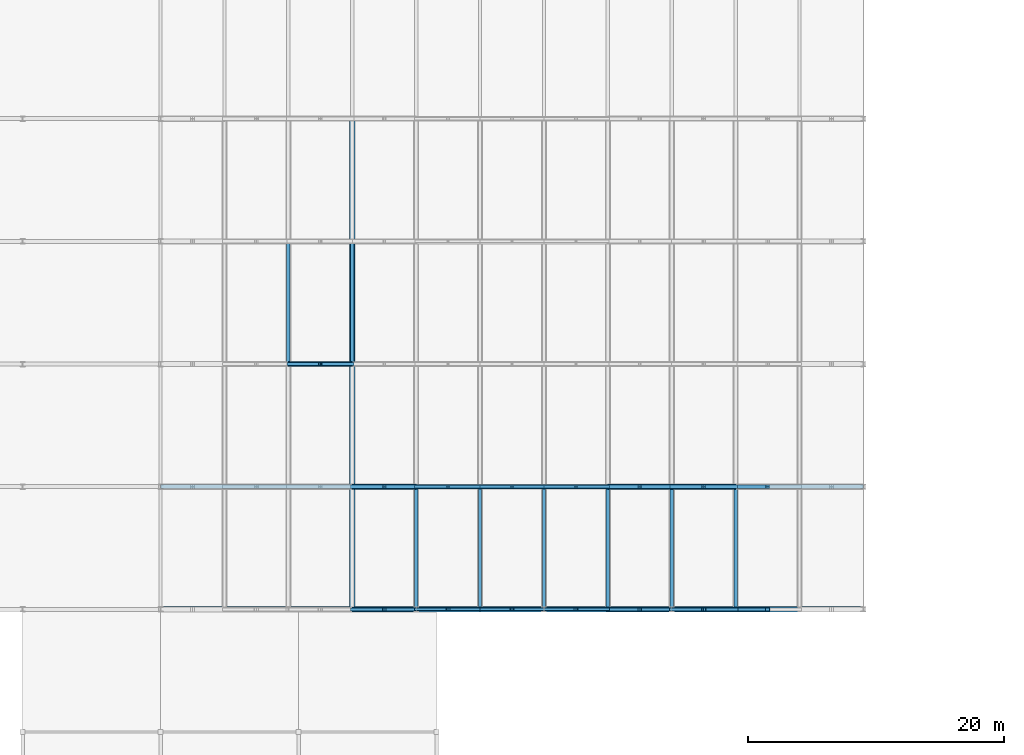
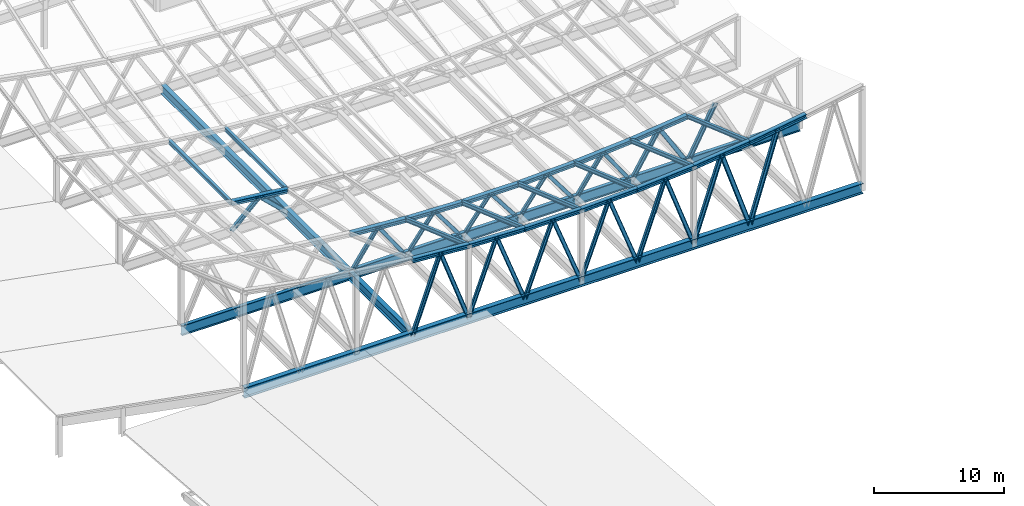
# One storey, part 8 of 40: 50 members, 3 beams, 1 element without a shape of its own.
"""IFC4 building model written with IfcOpenShell, lengths in metres."""

from ifc_helpers import new_model, si_unit, direction, frame, origin, origin_2d, place, context, subcontext, project, spatial, i_section, extrude, material, material_profile, profile_set, type_object, element, aggregate, save


model = new_model("IFC4")

# Units and contexts
model_context = context("Model", 3, precision=1e-05, world=origin(), true_north=direction((0.0, 1.0)))
body_context = subcontext(model_context, "Body", "Model", "MODEL_VIEW")
ifc_project = project(units=[si_unit("LENGTHUNIT", "METRE"), si_unit("AREAUNIT", "SQUARE_METRE"), si_unit("VOLUMEUNIT", "CUBIC_METRE"), si_unit("PLANEANGLEUNIT", "RADIAN"), si_unit("MASSUNIT", "GRAM", prefix="KILO")], contexts=[model_context])

# Site, building, storey
site_placement = place(None, origin())
site = spatial("IfcSite", under=ifc_project, at=site_placement, CompositionType="ELEMENT")
building_placement = place(site_placement, origin())
building = spatial("IfcBuilding", under=site, at=building_placement, Name="Veldera Park Congress Hotel", CompositionType="ELEMENT")
storey_placement = place(building_placement, frame((0.0, 0.0, 16.199951171875)))
storey = spatial("IfcBuildingStorey", under=building, at=storey_placement, Name="L03", CompositionType="ELEMENT", Elevation=16.199951171875)

# Beams
ifc_material_1 = material(Name="Steel ASTM A992 Gr.50", Category="steel")
ifc_material_profile_1 = material_profile(ifc_material_1, i_section(OverallWidth=0.40087890625, OverallDepth=0.85498046875, WebThickness=0.018310546875, FlangeThickness=0.029296875, at=origin_2d()), Name="W33X201")
ifc_profile_set_1 = profile_set([ifc_material_profile_1], Name="Steel ASTM A992 Gr.50")
beam_type_1 = type_object("IfcBeamType", Name="BM-W33", PredefinedType="BEAM", material=ifc_profile_set_1)
beam_1_placement = place(storey_placement, frame((-52.39990234375, -21.0, 0.25), z_axis=(0.0, 1.0, 0.0), x_axis=(-1.0, 0.0, 0.0)))
element("IfcBeam", 1, at=beam_1_placement, inside=storey, type_object=beam_type_1, Name="Plenary Space Frame Transverse Spine Girder 3", PredefinedType="BEAM", context=body_context, shape_type="SweptSolid", body=[
    extrude(i_section(OverallWidth=0.40087890625, OverallDepth=0.85498046875, WebThickness=0.018310546875, FlangeThickness=0.029296875, at=origin_2d()), origin(), (0.0, 0.0, 1.0), 38.39990234375),
])
ifc_material_profile_2 = material_profile(ifc_material_1, i_section(OverallWidth=0.31005859375, OverallDepth=0.949951171875, WebThickness=0.0244140625, FlangeThickness=0.0439453125, at=origin_2d()), Name="W36X256")
ifc_profile_set_2 = profile_set([ifc_material_profile_2], Name="Steel ASTM A992 Gr.50")
beam_type_2 = type_object("IfcBeamType", Name="BM-W36", PredefinedType="BEAM", material=ifc_profile_set_2)
beam_2_placement = place(storey_placement, frame((-67.39990234375, -11.39990234375, 0.25), z_axis=(1.0, 0.0, 0.0), x_axis=(0.0, 1.0, 0.0)))
element("IfcBeam", 2, at=beam_2_placement, inside=storey, type_object=beam_type_2, Name="Plenary Space Frame Main Bottom Tie Girder 2", PredefinedType="BEAM", context=body_context, shape_type="SweptSolid", body=[
    extrude(i_section(OverallWidth=0.31005859375, OverallDepth=0.949951171875, WebThickness=0.0244140625, FlangeThickness=0.0439453125, at=origin_2d()), origin(), (0.0, 0.0, 1.0), 55.0),
])
ifc_material_profile_3 = material_profile(ifc_material_1, i_section(OverallWidth=0.423095703125, OverallDepth=0.965087890625, WebThickness=0.02392578125, FlangeThickness=0.042724609375, at=origin_2d()), Name="W36X302")
ifc_profile_set_3 = profile_set([ifc_material_profile_3], Name="Steel ASTM A992 Gr.50")
beam_type_3 = type_object("IfcBeamType", Name="BM-W36E", PredefinedType="BEAM", material=ifc_profile_set_3)
beam_3_placement = place(storey_placement, frame((-67.39990234375, -21.0, 0.25), z_axis=(1.0, 0.0, 0.0), x_axis=(0.0, 1.0, 0.0)))
element("IfcBeam", 3, at=beam_3_placement, inside=storey, type_object=beam_type_3, Name="Plenary Space Frame Main Bottom Tie Girder 1", PredefinedType="BEAM", context=body_context, shape_type="SweptSolid", body=[
    extrude(i_section(OverallWidth=0.423095703125, OverallDepth=0.965087890625, WebThickness=0.02392578125, FlangeThickness=0.042724609375, at=origin_2d()), origin(), (0.0, 0.0, 1.0), 55.0),
])

# Roof, members
ifc_material_2 = material(Name="Cross-laminated timber CLT V2M1.1", Category="wood")
roof_type = type_object("IfcRoofType", Name="ROOF-PAV", PredefinedType="PAVILION_ROOF", material=ifc_material_2)
roof_placement = place(storey_placement, origin())
roof = element("IfcRoof", 4, at=roof_placement, inside=storey, type_object=roof_type, Name="Plenary Congress Pavilion Sweeping Space Frame Roof", PredefinedType="PAVILION_ROOF")
ifc_material_profile_4 = material_profile(ifc_material_1, i_section(OverallWidth=0.3740234375, OverallDepth=0.3720703125, WebThickness=0.016357421875, FlangeThickness=0.026123046875, at=origin_2d()), Name="W14X132")
ifc_profile_set_4 = profile_set([ifc_material_profile_4], Name="Steel ASTM A992 Gr.50")
member_type_1 = type_object("IfcMemberType", Name="TR-CHD132", PredefinedType="CHORD", material=ifc_profile_set_4)
member_1_placement = place(storey_placement, frame((-47.39990234375, -21.0, 7.048828125), z_axis=(0.999315769236, 0.0, -0.036986394193), x_axis=(0.0, 1.0, 0.0)))
member_1 = element("IfcMember", 5, at=member_1_placement, type_object=member_type_1, Name="Plenary Roof Space Frame Top Chord 5", PredefinedType="CHORD", context=body_context, shape_type="SweptSolid", body=[
    extrude(i_section(OverallWidth=0.3740234375, OverallDepth=0.3720703125, WebThickness=0.016357421875, FlangeThickness=0.026123046875, at=origin_2d()), origin(), (0.0, 0.0, 1.0), 5.00341796875),
])
member_2_placement = place(storey_placement, frame((-42.39990234375, -21.0, 6.86376953125), z_axis=(0.999999731779, 0.0, 0.000732421679), x_axis=(0.0, 1.0, 0.0)))
member_2 = element("IfcMember", 6, at=member_2_placement, type_object=member_type_1, Name="Plenary Roof Space Frame Top Chord 6", PredefinedType="CHORD", context=body_context, shape_type="SweptSolid", body=[
    extrude(i_section(OverallWidth=0.3740234375, OverallDepth=0.3720703125, WebThickness=0.016357421875, FlangeThickness=0.026123046875, at=origin_2d()), origin(), (0.0, 0.0, 1.0), 5.0),
])
member_3_placement = place(storey_placement, frame((-37.39990234375, -21.0, 6.867431640625), z_axis=(0.999258722193, 0.0, 0.038496832608), x_axis=(0.0, 1.0, 0.0)))
member_3 = element("IfcMember", 7, at=member_3_placement, type_object=member_type_1, Name="Plenary Roof Space Frame Top Chord 7", PredefinedType="CHORD", context=body_context, shape_type="SweptSolid", body=[
    extrude(i_section(OverallWidth=0.3740234375, OverallDepth=0.3720703125, WebThickness=0.016357421875, FlangeThickness=0.026123046875, at=origin_2d()), origin(), (0.0, 0.0, 1.0), 5.003662109375),
])
member_4_placement = place(storey_placement, frame((-47.39990234375, -11.39990234375, 3.661865234375), z_axis=(0.999317571557, 0.0, -0.036937666097), x_axis=(0.0, 1.0, 0.0)))
member_4 = element("IfcMember", 8, at=member_4_placement, type_object=member_type_1, Name="Plenary Roof Space Frame Top Chord 16", PredefinedType="CHORD", context=body_context, shape_type="SweptSolid", body=[
    extrude(i_section(OverallWidth=0.3740234375, OverallDepth=0.3720703125, WebThickness=0.016357421875, FlangeThickness=0.026123046875, at=origin_2d()), origin(), (0.0, 0.0, 1.0), 5.00341796875),
])
member_5_placement = place(storey_placement, frame((-42.39990234375, -11.39990234375, 3.47705078125), z_axis=(0.999999731779, 0.0, 0.000732421679), x_axis=(0.0, 1.0, 0.0)))
member_5 = element("IfcMember", 9, at=member_5_placement, type_object=member_type_1, Name="Plenary Roof Space Frame Top Chord 17", PredefinedType="CHORD", context=body_context, shape_type="SweptSolid", body=[
    extrude(i_section(OverallWidth=0.3740234375, OverallDepth=0.3720703125, WebThickness=0.016357421875, FlangeThickness=0.026123046875, at=origin_2d()), origin(), (0.0, 0.0, 1.0), 5.0),
])
member_6_placement = place(storey_placement, frame((-37.39990234375, -11.39990234375, 3.480712890625), z_axis=(0.999258722193, 0.0, 0.038496832608), x_axis=(0.0, 1.0, 0.0)))
member_6 = element("IfcMember", 10, at=member_6_placement, type_object=member_type_1, Name="Plenary Roof Space Frame Top Chord 18", PredefinedType="CHORD", context=body_context, shape_type="SweptSolid", body=[
    extrude(i_section(OverallWidth=0.3740234375, OverallDepth=0.3720703125, WebThickness=0.016357421875, FlangeThickness=0.026123046875, at=origin_2d()), origin(), (0.0, 0.0, 1.0), 5.003662109375),
])
ifc_material_profile_5 = material_profile(ifc_material_1, i_section(OverallWidth=0.39599609375, OverallDepth=0.381103515625, WebThickness=0.018798828125, FlangeThickness=0.0302734375, at=origin_2d()), Name="W14X159")
ifc_profile_set_5 = profile_set([ifc_material_profile_5], Name="Steel ASTM A992 Gr.50")
member_type_2 = type_object("IfcMemberType", Name="TR-CHD159", PredefinedType="CHORD", material=ifc_profile_set_5)
member_7_placement = place(storey_placement, frame((-52.39990234375, -21.0, 7.42236328125), z_axis=(0.997221056601, 0.0, -0.074499424639), x_axis=(0.0, 1.0, 0.0)))
member_7 = element("IfcMember", 11, at=member_7_placement, type_object=member_type_2, Name="Plenary Roof Space Frame Top Chord 4", PredefinedType="CHORD", context=body_context, shape_type="SweptSolid", body=[
    extrude(i_section(OverallWidth=0.39599609375, OverallDepth=0.381103515625, WebThickness=0.018798828125, FlangeThickness=0.0302734375, at=origin_2d()), origin(), (0.0, 0.0, 1.0), 5.013916015625),
])
member_8_placement = place(storey_placement, frame((-32.39990234375, -21.0, 7.06005859375), z_axis=(0.99710410734, 0.0, 0.076048662874), x_axis=(0.0, 1.0, 0.0)))
member_8 = element("IfcMember", 12, at=member_8_placement, type_object=member_type_2, Name="Plenary Roof Space Frame Top Chord 8", PredefinedType="CHORD", context=body_context, shape_type="SweptSolid", body=[
    extrude(i_section(OverallWidth=0.39599609375, OverallDepth=0.381103515625, WebThickness=0.018798828125, FlangeThickness=0.0302734375, at=origin_2d()), origin(), (0.0, 0.0, 1.0), 5.014404296875),
])
member_9_placement = place(storey_placement, frame((-52.39990234375, -11.39990234375, 4.03564453125), z_axis=(0.997217437961, 0.0, -0.074547846559), x_axis=(0.0, 1.0, 0.0)))
member_9 = element("IfcMember", 13, at=member_9_placement, type_object=member_type_2, Name="Plenary Roof Space Frame Top Chord 15", PredefinedType="CHORD", context=body_context, shape_type="SweptSolid", body=[
    extrude(i_section(OverallWidth=0.39599609375, OverallDepth=0.381103515625, WebThickness=0.018798828125, FlangeThickness=0.0302734375, at=origin_2d()), origin(), (0.0, 0.0, 1.0), 5.013916015625),
])
member_10_placement = place(storey_placement, frame((-32.39990234375, -11.39990234375, 3.67333984375), z_axis=(0.997107798017, 0.0, 0.076000257456), x_axis=(0.0, 1.0, 0.0)))
member_10 = element("IfcMember", 14, at=member_10_placement, type_object=member_type_2, Name="Plenary Roof Space Frame Top Chord 19", PredefinedType="CHORD", context=body_context, shape_type="SweptSolid", body=[
    extrude(i_section(OverallWidth=0.39599609375, OverallDepth=0.381103515625, WebThickness=0.018798828125, FlangeThickness=0.0302734375, at=origin_2d()), origin(), (0.0, 0.0, 1.0), 5.014404296875),
])
ifc_material_profile_6 = material_profile(ifc_material_1, i_section(OverallWidth=0.39697265625, OverallDepth=0.386962890625, WebThickness=0.02099609375, FlangeThickness=0.033203125, at=origin_2d()), Name="W14X176")
ifc_profile_set_6 = profile_set([ifc_material_profile_6], Name="Steel ASTM A992 Gr.50")
member_type_3 = type_object("IfcMemberType", Name="TR-CHD176", PredefinedType="CHORD", material=ifc_profile_set_6)
member_11_placement = place(storey_placement, frame((-27.39990234375, -21.0, 7.44140625), z_axis=(0.993568588139, 0.0, 0.113231888902), x_axis=(0.0, 1.0, 0.0)))
member_11 = element("IfcMember", 15, at=member_11_placement, type_object=member_type_3, Name="Plenary Roof Space Frame Top Chord 9", PredefinedType="CHORD", context=body_context, shape_type="SweptSolid", body=[
    extrude(i_section(OverallWidth=0.39697265625, OverallDepth=0.386962890625, WebThickness=0.02099609375, FlangeThickness=0.033203125, at=origin_2d()), origin(), (0.0, 0.0, 1.0), 5.032470703125),
])
member_12_placement = place(storey_placement, frame((-27.39990234375, -11.39990234375, 4.054443359375), z_axis=(0.993563129002, 0.0, 0.113279780577), x_axis=(0.0, 1.0, 0.0)))
member_12 = element("IfcMember", 16, at=member_12_placement, type_object=member_type_3, Name="Plenary Roof Space Frame Top Chord 20", PredefinedType="CHORD", context=body_context, shape_type="SweptSolid", body=[
    extrude(i_section(OverallWidth=0.39697265625, OverallDepth=0.386962890625, WebThickness=0.02099609375, FlangeThickness=0.033203125, at=origin_2d()), origin(), (0.0, 0.0, 1.0), 5.032470703125),
])
member_13_placement = place(storey_placement, frame((-57.39990234375, -1.800048828125, 2.904541015625), z_axis=(0.993731316159, 0.0, -0.111794773068), x_axis=(0.0, 1.0, 0.0)))
member_13 = element("IfcMember", 17, at=member_13_placement, type_object=member_type_3, Name="Plenary Roof Space Frame Top Chord 25", PredefinedType="CHORD", context=body_context, shape_type="SweptSolid", body=[
    extrude(i_section(OverallWidth=0.39697265625, OverallDepth=0.386962890625, WebThickness=0.02099609375, FlangeThickness=0.033203125, at=origin_2d()), origin(), (0.0, 0.0, 1.0), 5.031494140625),
])
ifc_material_profile_7 = material_profile(ifc_material_1, i_section(OverallWidth=0.40087890625, OverallDepth=0.39892578125, WebThickness=0.02490234375, FlangeThickness=0.03955078125, at=origin_2d()), Name="W14X211")
ifc_profile_set_7 = profile_set([ifc_material_profile_7], Name="Steel ASTM A992 Gr.50")
member_type_4 = type_object("IfcMemberType", Name="TR-CHD211", PredefinedType="CHORD", material=ifc_profile_set_7)
member_14_placement = place(storey_placement, frame((-22.39990234375, -21.0, 8.01123046875), z_axis=(0.988679941563, 0.0, 0.150039905194), x_axis=(0.0, 1.0, 0.0)))
member_14 = element("IfcMember", 18, at=member_14_placement, type_object=member_type_4, Name="Plenary Roof Space Frame Top Chord 10", PredefinedType="CHORD", context=body_context, shape_type="SweptSolid", body=[
    extrude(i_section(OverallWidth=0.40087890625, OverallDepth=0.39892578125, WebThickness=0.02490234375, FlangeThickness=0.03955078125, at=origin_2d()), origin(), (0.0, 0.0, 1.0), 5.05712890625),
])
ifc_material_profile_8 = material_profile(ifc_material_1, i_section(OverallWidth=0.205078125, OverallDepth=0.31005859375, WebThickness=0.009521484375, FlangeThickness=0.016357421875, at=origin_2d()), Name="W12X50")
ifc_profile_set_8 = profile_set([ifc_material_profile_8], Name="Steel ASTM A992 Gr.50")
member_type_5 = type_object("IfcMemberType", Name="TR-WEB50", PredefinedType="MEMBER", material=ifc_profile_set_8)
member_15_placement = place(storey_placement, frame((-47.39990234375, -21.0, 0.25), z_axis=(0.349302249262, 0.0, 0.937010105954), x_axis=(0.0, 1.0, 0.0)))
member_15 = element("IfcMember", 19, at=member_15_placement, type_object=member_type_5, Name="Plenary Roof Space Frame Web A 5", PredefinedType="MEMBER", context=body_context, shape_type="SweptSolid", body=[
    extrude(i_section(OverallWidth=0.205078125, OverallDepth=0.31005859375, WebThickness=0.009521484375, FlangeThickness=0.016357421875, at=origin_2d()), origin(), (0.0, 0.0, 1.0), 7.1572265625),
])
member_16_placement = place(storey_placement, frame((-42.39990234375, -21.0, 0.25), z_axis=(-0.349302249262, 0.0, 0.937010105954), x_axis=(0.0, -1.0, 0.0)))
member_16 = element("IfcMember", 20, at=member_16_placement, type_object=member_type_5, Name="Plenary Roof Space Frame Web B 5", PredefinedType="MEMBER", context=body_context, shape_type="SweptSolid", body=[
    extrude(i_section(OverallWidth=0.205078125, OverallDepth=0.31005859375, WebThickness=0.009521484375, FlangeThickness=0.016357421875, at=origin_2d()), origin(), (0.0, 0.0, 1.0), 7.1572265625),
])
member_17_placement = place(storey_placement, frame((-42.39990234375, -21.0, 0.25), z_axis=(0.353490523424, 0.0, 0.935438105836), x_axis=(0.0, 1.0, 0.0)))
member_17 = element("IfcMember", 21, at=member_17_placement, type_object=member_type_5, Name="Plenary Roof Space Frame Web A 6", PredefinedType="MEMBER", context=body_context, shape_type="SweptSolid", body=[
    extrude(i_section(OverallWidth=0.205078125, OverallDepth=0.31005859375, WebThickness=0.009521484375, FlangeThickness=0.016357421875, at=origin_2d()), origin(), (0.0, 0.0, 1.0), 7.072265625),
])
member_18_placement = place(storey_placement, frame((-37.39990234375, -21.0, 0.25), z_axis=(-0.353490523424, 0.0, 0.935438105836), x_axis=(0.0, -1.0, 0.0)))
member_18 = element("IfcMember", 22, at=member_18_placement, type_object=member_type_5, Name="Plenary Roof Space Frame Web B 6", PredefinedType="MEMBER", context=body_context, shape_type="SweptSolid", body=[
    extrude(i_section(OverallWidth=0.205078125, OverallDepth=0.31005859375, WebThickness=0.009521484375, FlangeThickness=0.016357421875, at=origin_2d()), origin(), (0.0, 0.0, 1.0), 7.072265625),
])
member_19_placement = place(storey_placement, frame((-37.39990234375, -21.0, 0.25), z_axis=(0.348956462383, 0.0, 0.937138937064), x_axis=(0.0, 1.0, 0.0)))
member_19 = element("IfcMember", 23, at=member_19_placement, type_object=member_type_5, Name="Plenary Roof Space Frame Web A 7", PredefinedType="MEMBER", context=body_context, shape_type="SweptSolid", body=[
    extrude(i_section(OverallWidth=0.205078125, OverallDepth=0.31005859375, WebThickness=0.009521484375, FlangeThickness=0.016357421875, at=origin_2d()), origin(), (0.0, 0.0, 1.0), 7.164306640625),
])
member_20_placement = place(storey_placement, frame((-32.39990234375, -21.0, 0.25), z_axis=(-0.348956462383, 0.0, 0.937138937064), x_axis=(0.0, -1.0, 0.0)))
member_20 = element("IfcMember", 24, at=member_20_placement, type_object=member_type_5, Name="Plenary Roof Space Frame Web B 7", PredefinedType="MEMBER", context=body_context, shape_type="SweptSolid", body=[
    extrude(i_section(OverallWidth=0.205078125, OverallDepth=0.31005859375, WebThickness=0.009521484375, FlangeThickness=0.016357421875, at=origin_2d()), origin(), (0.0, 0.0, 1.0), 7.164306640625),
])
member_21_placement = place(storey_placement, frame((-47.39990234375, -11.39990234375, 0.25), z_axis=(0.601615616572, 0.0, 0.79878573466), x_axis=(0.0, 1.0, 0.0)))
member_21 = element("IfcMember", 25, at=member_21_placement, type_object=member_type_5, Name="Plenary Roof Space Frame Web A 16", PredefinedType="MEMBER", context=body_context, shape_type="SweptSolid", body=[
    extrude(i_section(OverallWidth=0.205078125, OverallDepth=0.31005859375, WebThickness=0.009521484375, FlangeThickness=0.016357421875, at=origin_2d()), origin(), (0.0, 0.0, 1.0), 4.155517578125),
])
member_22_placement = place(storey_placement, frame((-42.39990234375, -11.39990234375, 0.25), z_axis=(-0.601615616572, 0.0, 0.79878573466), x_axis=(0.0, -1.0, 0.0)))
member_22 = element("IfcMember", 26, at=member_22_placement, type_object=member_type_5, Name="Plenary Roof Space Frame Web B 16", PredefinedType="MEMBER", context=body_context, shape_type="SweptSolid", body=[
    extrude(i_section(OverallWidth=0.205078125, OverallDepth=0.31005859375, WebThickness=0.009521484375, FlangeThickness=0.016357421875, at=origin_2d()), origin(), (0.0, 0.0, 1.0), 4.155517578125),
])
member_23_placement = place(storey_placement, frame((-42.39990234375, -11.39990234375, 0.25), z_axis=(0.612221426198, 0.0, 0.790686363424), x_axis=(0.0, 1.0, 0.0)))
member_23 = element("IfcMember", 27, at=member_23_placement, type_object=member_type_5, Name="Plenary Roof Space Frame Web A 17", PredefinedType="MEMBER", context=body_context, shape_type="SweptSolid", body=[
    extrude(i_section(OverallWidth=0.205078125, OverallDepth=0.31005859375, WebThickness=0.009521484375, FlangeThickness=0.016357421875, at=origin_2d()), origin(), (0.0, 0.0, 1.0), 4.08349609375),
])
member_24_placement = place(storey_placement, frame((-37.39990234375, -11.39990234375, 0.25), z_axis=(-0.612221426198, 0.0, 0.790686363424), x_axis=(0.0, -1.0, 0.0)))
member_24 = element("IfcMember", 28, at=member_24_placement, type_object=member_type_5, Name="Plenary Roof Space Frame Web B 17", PredefinedType="MEMBER", context=body_context, shape_type="SweptSolid", body=[
    extrude(i_section(OverallWidth=0.205078125, OverallDepth=0.31005859375, WebThickness=0.009521484375, FlangeThickness=0.016357421875, at=origin_2d()), origin(), (0.0, 0.0, 1.0), 4.08349609375),
])
member_25_placement = place(storey_placement, frame((-37.39990234375, -11.39990234375, 0.25), z_axis=(0.600741282263, 0.0, 0.799443501309), x_axis=(0.0, 1.0, 0.0)))
member_25 = element("IfcMember", 29, at=member_25_placement, type_object=member_type_5, Name="Plenary Roof Space Frame Web A 18", PredefinedType="MEMBER", context=body_context, shape_type="SweptSolid", body=[
    extrude(i_section(OverallWidth=0.205078125, OverallDepth=0.31005859375, WebThickness=0.009521484375, FlangeThickness=0.016357421875, at=origin_2d()), origin(), (0.0, 0.0, 1.0), 4.16162109375),
])
member_26_placement = place(storey_placement, frame((-32.39990234375, -11.39990234375, 0.25), z_axis=(-0.600741282263, 0.0, 0.799443501309), x_axis=(0.0, -1.0, 0.0)))
member_26 = element("IfcMember", 30, at=member_26_placement, type_object=member_type_5, Name="Plenary Roof Space Frame Web B 18", PredefinedType="MEMBER", context=body_context, shape_type="SweptSolid", body=[
    extrude(i_section(OverallWidth=0.205078125, OverallDepth=0.31005859375, WebThickness=0.009521484375, FlangeThickness=0.016357421875, at=origin_2d()), origin(), (0.0, 0.0, 1.0), 4.16162109375),
])
ifc_material_profile_9 = material_profile(ifc_material_1, i_section(OverallWidth=0.25390625, OverallDepth=0.31005859375, WebThickness=0.009033203125, FlangeThickness=0.016357421875, at=origin_2d()), Name="W12X58")
ifc_profile_set_9 = profile_set([ifc_material_profile_9], Name="Steel ASTM A992 Gr.50")
member_type_6 = type_object("IfcMemberType", Name="TR-WEB58", PredefinedType="MEMBER", material=ifc_profile_set_9)
member_27_placement = place(storey_placement, frame((-52.39990234375, -21.0, 0.25), z_axis=(0.336951254188, 0.0, 0.941522093368), x_axis=(0.0, 1.0, 0.0)))
member_27 = element("IfcMember", 31, at=member_27_placement, type_object=member_type_6, Name="Plenary Roof Space Frame Web A 4", PredefinedType="MEMBER", context=body_context, shape_type="SweptSolid", body=[
    extrude(i_section(OverallWidth=0.25390625, OverallDepth=0.31005859375, WebThickness=0.009033203125, FlangeThickness=0.016357421875, at=origin_2d()), origin(), (0.0, 0.0, 1.0), 7.41943359375),
])
member_28_placement = place(storey_placement, frame((-47.39990234375, -21.0, 0.25), z_axis=(-0.336951254188, 0.0, 0.941522093368), x_axis=(0.0, -1.0, 0.0)))
member_28 = element("IfcMember", 32, at=member_28_placement, type_object=member_type_6, Name="Plenary Roof Space Frame Web B 4", PredefinedType="MEMBER", context=body_context, shape_type="SweptSolid", body=[
    extrude(i_section(OverallWidth=0.25390625, OverallDepth=0.31005859375, WebThickness=0.009033203125, FlangeThickness=0.016357421875, at=origin_2d()), origin(), (0.0, 0.0, 1.0), 7.41943359375),
])
member_29_placement = place(storey_placement, frame((-32.39990234375, -21.0, 0.25), z_axis=(0.336305189195, 0.0, 0.941753056656), x_axis=(0.0, 1.0, 0.0)))
member_29 = element("IfcMember", 33, at=member_29_placement, type_object=member_type_6, Name="Plenary Roof Space Frame Web A 8", PredefinedType="MEMBER", context=body_context, shape_type="SweptSolid", body=[
    extrude(i_section(OverallWidth=0.25390625, OverallDepth=0.31005859375, WebThickness=0.009033203125, FlangeThickness=0.016357421875, at=origin_2d()), origin(), (0.0, 0.0, 1.0), 7.433837890625),
])
member_30_placement = place(storey_placement, frame((-27.39990234375, -21.0, 0.25), z_axis=(-0.336305189195, 0.0, 0.941753056656), x_axis=(0.0, -1.0, 0.0)))
member_30 = element("IfcMember", 34, at=member_30_placement, type_object=member_type_6, Name="Plenary Roof Space Frame Web B 8", PredefinedType="MEMBER", context=body_context, shape_type="SweptSolid", body=[
    extrude(i_section(OverallWidth=0.25390625, OverallDepth=0.31005859375, WebThickness=0.009033203125, FlangeThickness=0.016357421875, at=origin_2d()), origin(), (0.0, 0.0, 1.0), 7.433837890625),
])
member_31_placement = place(storey_placement, frame((-52.39990234375, -11.39990234375, 0.25), z_axis=(0.570541981426, 0.0, 0.821268438107), x_axis=(0.0, 1.0, 0.0)))
member_31 = element("IfcMember", 35, at=member_31_placement, type_object=member_type_6, Name="Plenary Roof Space Frame Web A 15", PredefinedType="MEMBER", context=body_context, shape_type="SweptSolid", body=[
    extrude(i_section(OverallWidth=0.25390625, OverallDepth=0.31005859375, WebThickness=0.009033203125, FlangeThickness=0.016357421875, at=origin_2d()), origin(), (0.0, 0.0, 1.0), 4.3818359375),
])
member_32_placement = place(storey_placement, frame((-47.39990234375, -11.39990234375, 0.25), z_axis=(-0.570541981426, 0.0, 0.821268438107), x_axis=(0.0, -1.0, 0.0)))
member_32 = element("IfcMember", 36, at=member_32_placement, type_object=member_type_6, Name="Plenary Roof Space Frame Web B 15", PredefinedType="MEMBER", context=body_context, shape_type="SweptSolid", body=[
    extrude(i_section(OverallWidth=0.25390625, OverallDepth=0.31005859375, WebThickness=0.009033203125, FlangeThickness=0.016357421875, at=origin_2d()), origin(), (0.0, 0.0, 1.0), 4.3818359375),
])
member_33_placement = place(storey_placement, frame((-32.39990234375, -11.39990234375, 0.25), z_axis=(0.568926815095, 0.0, 0.822388155961), x_axis=(0.0, 1.0, 0.0)))
member_33 = element("IfcMember", 37, at=member_33_placement, type_object=member_type_6, Name="Plenary Roof Space Frame Web A 19", PredefinedType="MEMBER", context=body_context, shape_type="SweptSolid", body=[
    extrude(i_section(OverallWidth=0.25390625, OverallDepth=0.31005859375, WebThickness=0.009033203125, FlangeThickness=0.016357421875, at=origin_2d()), origin(), (0.0, 0.0, 1.0), 4.394287109375),
])
member_34_placement = place(storey_placement, frame((-27.39990234375, -11.39990234375, 0.25), z_axis=(-0.568926815095, 0.0, 0.822388155961), x_axis=(0.0, -1.0, 0.0)))
member_34 = element("IfcMember", 38, at=member_34_placement, type_object=member_type_6, Name="Plenary Roof Space Frame Web B 19", PredefinedType="MEMBER", context=body_context, shape_type="SweptSolid", body=[
    extrude(i_section(OverallWidth=0.25390625, OverallDepth=0.31005859375, WebThickness=0.009033203125, FlangeThickness=0.016357421875, at=origin_2d()), origin(), (0.0, 0.0, 1.0), 4.394287109375),
])
ifc_material_profile_10 = material_profile(ifc_material_1, i_section(OverallWidth=0.25390625, OverallDepth=0.35595703125, WebThickness=0.010498046875, FlangeThickness=0.018310546875, at=origin_2d()), Name="W14X68")
ifc_profile_set_10 = profile_set([ifc_material_profile_10], Name="Steel ASTM A992 Gr.50")
member_type_7 = type_object("IfcMemberType", Name="TR-WEB68", PredefinedType="MEMBER", material=ifc_profile_set_10)
member_35_placement = place(storey_placement, frame((-27.39990234375, -21.0, 0.25), z_axis=(0.317128839073, 0.0, 0.948382464741), x_axis=(0.0, 1.0, 0.0)))
member_35 = element("IfcMember", 39, at=member_35_placement, type_object=member_type_7, Name="Plenary Roof Space Frame Web A 9", PredefinedType="MEMBER", context=body_context, shape_type="SweptSolid", body=[
    extrude(i_section(OverallWidth=0.25390625, OverallDepth=0.35595703125, WebThickness=0.010498046875, FlangeThickness=0.018310546875, at=origin_2d()), origin(), (0.0, 0.0, 1.0), 7.88330078125),
])
member_36_placement = place(storey_placement, frame((-22.39990234375, -21.0, 0.25), z_axis=(-0.317128839073, 0.0, 0.948382464741), x_axis=(0.0, -1.0, 0.0)))
member_36 = element("IfcMember", 40, at=member_36_placement, type_object=member_type_7, Name="Plenary Roof Space Frame Web B 9", PredefinedType="MEMBER", context=body_context, shape_type="SweptSolid", body=[
    extrude(i_section(OverallWidth=0.25390625, OverallDepth=0.35595703125, WebThickness=0.010498046875, FlangeThickness=0.018310546875, at=origin_2d()), origin(), (0.0, 0.0, 1.0), 7.88330078125),
])
member_37_placement = place(storey_placement, frame((-27.39990234375, -11.39990234375, 0.25), z_axis=(0.521594227937, 0.0, 0.853193683393), x_axis=(0.0, 1.0, 0.0)))
member_37 = element("IfcMember", 41, at=member_37_placement, type_object=member_type_7, Name="Plenary Roof Space Frame Web A 20", PredefinedType="MEMBER", context=body_context, shape_type="SweptSolid", body=[
    extrude(i_section(OverallWidth=0.25390625, OverallDepth=0.35595703125, WebThickness=0.010498046875, FlangeThickness=0.018310546875, at=origin_2d()), origin(), (0.0, 0.0, 1.0), 4.79296875),
])
member_38_placement = place(storey_placement, frame((-22.39990234375, -11.39990234375, 0.25), z_axis=(-0.521594227937, 0.0, 0.853193683393), x_axis=(0.0, -1.0, 0.0)))
member_38 = element("IfcMember", 42, at=member_38_placement, type_object=member_type_7, Name="Plenary Roof Space Frame Web B 20", PredefinedType="MEMBER", context=body_context, shape_type="SweptSolid", body=[
    extrude(i_section(OverallWidth=0.25390625, OverallDepth=0.35595703125, WebThickness=0.010498046875, FlangeThickness=0.018310546875, at=origin_2d()), origin(), (0.0, 0.0, 1.0), 4.79296875),
])
member_39_placement = place(storey_placement, frame((-57.39990234375, -1.800048828125, 0.25), z_axis=(0.725246948163, 0.0, 0.688488826474), x_axis=(0.0, 1.0, 0.0)))
member_39 = element("IfcMember", 43, at=member_39_placement, type_object=member_type_7, Name="Plenary Roof Space Frame Web A 25", PredefinedType="MEMBER", context=body_context, shape_type="SweptSolid", body=[
    extrude(i_section(OverallWidth=0.25390625, OverallDepth=0.35595703125, WebThickness=0.010498046875, FlangeThickness=0.018310546875, at=origin_2d()), origin(), (0.0, 0.0, 1.0), 3.447021484375),
])
member_40_placement = place(storey_placement, frame((-52.39990234375, -1.800048828125, 0.25), z_axis=(-0.725246948163, 0.0, 0.688488826474), x_axis=(0.0, -1.0, 0.0)))
member_40 = element("IfcMember", 44, at=member_40_placement, type_object=member_type_7, Name="Plenary Roof Space Frame Web B 25", PredefinedType="MEMBER", context=body_context, shape_type="SweptSolid", body=[
    extrude(i_section(OverallWidth=0.25390625, OverallDepth=0.35595703125, WebThickness=0.010498046875, FlangeThickness=0.018310546875, at=origin_2d()), origin(), (0.0, 0.0, 1.0), 3.447021484375),
])
member_41_placement = place(storey_placement, frame((-57.39990234375, -1.800048828125, 2.904541015625), z_axis=(0.0, 1.0, 0.0), x_axis=(-1.0, 0.0, 0.0)))
member_41 = element("IfcMember", 45, at=member_41_placement, type_object=member_type_7, Name="Plenary Space Frame Cross Chord 79", PredefinedType="MEMBER", context=body_context, shape_type="SweptSolid", body=[
    extrude(i_section(OverallWidth=0.25390625, OverallDepth=0.35595703125, WebThickness=0.010498046875, FlangeThickness=0.018310546875, at=origin_2d()), origin(), (0.0, 0.0, 1.0), 9.60009765625),
])
member_42_placement = place(storey_placement, frame((-52.39990234375, -1.800048828125, 2.342041015625), z_axis=(0.0, 1.0, 0.0), x_axis=(-1.0, 0.0, 0.0)))
member_42 = element("IfcMember", 46, at=member_42_placement, type_object=member_type_7, Name="Plenary Space Frame Cross Chord 84", PredefinedType="MEMBER", context=body_context, shape_type="SweptSolid", body=[
    extrude(i_section(OverallWidth=0.25390625, OverallDepth=0.35595703125, WebThickness=0.010498046875, FlangeThickness=0.018310546875, at=origin_2d()), origin(), (0.0, 0.0, 1.0), 9.60009765625),
])
member_43_placement = place(storey_placement, frame((-47.39990234375, -21.0, 7.048828125), z_axis=(0.0, 0.943030616878, -0.332705959716), x_axis=(-1.0, 0.0, 0.0)))
member_43 = element("IfcMember", 47, at=member_43_placement, type_object=member_type_7, Name="Plenary Space Frame Cross Chord 87", PredefinedType="MEMBER", context=body_context, shape_type="SweptSolid", body=[
    extrude(i_section(OverallWidth=0.25390625, OverallDepth=0.35595703125, WebThickness=0.010498046875, FlangeThickness=0.018310546875, at=origin_2d()), origin(), (0.0, 0.0, 1.0), 10.179931640625),
])
member_44_placement = place(storey_placement, frame((-42.39990234375, -21.0, 6.86376953125), z_axis=(0.0, 0.943038141178, -0.332684631871), x_axis=(-1.0, 0.0, 0.0)))
member_44 = element("IfcMember", 48, at=member_44_placement, type_object=member_type_7, Name="Plenary Space Frame Cross Chord 92", PredefinedType="MEMBER", context=body_context, shape_type="SweptSolid", body=[
    extrude(i_section(OverallWidth=0.25390625, OverallDepth=0.35595703125, WebThickness=0.010498046875, FlangeThickness=0.018310546875, at=origin_2d()), origin(), (0.0, 0.0, 1.0), 10.179931640625),
])
member_45_placement = place(storey_placement, frame((-37.39990234375, -21.0, 6.867431640625), z_axis=(0.0, 0.943038141178, -0.332684631871), x_axis=(-1.0, 0.0, 0.0)))
member_45 = element("IfcMember", 49, at=member_45_placement, type_object=member_type_7, Name="Plenary Space Frame Cross Chord 97", PredefinedType="MEMBER", context=body_context, shape_type="SweptSolid", body=[
    extrude(i_section(OverallWidth=0.25390625, OverallDepth=0.35595703125, WebThickness=0.010498046875, FlangeThickness=0.018310546875, at=origin_2d()), origin(), (0.0, 0.0, 1.0), 10.179931640625),
])
member_46_placement = place(storey_placement, frame((-32.39990234375, -21.0, 7.06005859375), z_axis=(0.0, 0.943038141178, -0.332684631871), x_axis=(-1.0, 0.0, 0.0)))
member_46 = element("IfcMember", 50, at=member_46_placement, type_object=member_type_7, Name="Plenary Space Frame Cross Chord 102", PredefinedType="MEMBER", context=body_context, shape_type="SweptSolid", body=[
    extrude(i_section(OverallWidth=0.25390625, OverallDepth=0.35595703125, WebThickness=0.010498046875, FlangeThickness=0.018310546875, at=origin_2d()), origin(), (0.0, 0.0, 1.0), 10.179931640625),
])
member_47_placement = place(storey_placement, frame((-27.39990234375, -21.0, 7.44140625), z_axis=(0.0, 0.943030616878, -0.332705959716), x_axis=(-1.0, 0.0, 0.0)))
member_47 = element("IfcMember", 51, at=member_47_placement, type_object=member_type_7, Name="Plenary Space Frame Cross Chord 107", PredefinedType="MEMBER", context=body_context, shape_type="SweptSolid", body=[
    extrude(i_section(OverallWidth=0.25390625, OverallDepth=0.35595703125, WebThickness=0.010498046875, FlangeThickness=0.018310546875, at=origin_2d()), origin(), (0.0, 0.0, 1.0), 10.179931640625),
])
member_48_placement = place(storey_placement, frame((-22.39990234375, -21.0, 8.01123046875), z_axis=(0.0, 0.943038141178, -0.332684631871), x_axis=(-1.0, 0.0, 0.0)))
member_48 = element("IfcMember", 52, at=member_48_placement, type_object=member_type_7, Name="Plenary Space Frame Cross Chord 112", PredefinedType="MEMBER", context=body_context, shape_type="SweptSolid", body=[
    extrude(i_section(OverallWidth=0.25390625, OverallDepth=0.35595703125, WebThickness=0.010498046875, FlangeThickness=0.018310546875, at=origin_2d()), origin(), (0.0, 0.0, 1.0), 10.179931640625),
])
ifc_material_profile_11 = material_profile(ifc_material_1, i_section(OverallWidth=0.257080078125, OverallDepth=0.363037109375, WebThickness=0.012939453125, FlangeThickness=0.021728515625, at=origin_2d()), Name="W14X82")
ifc_profile_set_11 = profile_set([ifc_material_profile_11], Name="Steel ASTM A992 Gr.50")
member_type_8 = type_object("IfcMemberType", Name="TR-WEB82", PredefinedType="MEMBER", material=ifc_profile_set_11)
member_49_placement = place(storey_placement, frame((-22.39990234375, -21.0, 0.25), z_axis=(0.29356202952, 0.0, 0.955940026792), x_axis=(0.0, 1.0, 0.0)))
member_49 = element("IfcMember", 53, at=member_49_placement, type_object=member_type_8, Name="Plenary Roof Space Frame Web A 10", PredefinedType="MEMBER", context=body_context, shape_type="SweptSolid", body=[
    extrude(i_section(OverallWidth=0.257080078125, OverallDepth=0.363037109375, WebThickness=0.012939453125, FlangeThickness=0.021728515625, at=origin_2d()), origin(), (0.0, 0.0, 1.0), 8.51611328125),
])
member_50_placement = place(storey_placement, frame((-22.39990234375, -11.39990234375, 0.25), z_axis=(0.465465393137, 0.0, 0.885066081031), x_axis=(0.0, 1.0, 0.0)))
member_50 = element("IfcMember", 54, at=member_50_placement, type_object=member_type_8, Name="Plenary Roof Space Frame Web A 21", PredefinedType="MEMBER", context=body_context, shape_type="SweptSolid", body=[
    extrude(i_section(OverallWidth=0.257080078125, OverallDepth=0.363037109375, WebThickness=0.012939453125, FlangeThickness=0.021728515625, at=origin_2d()), origin(), (0.0, 0.0, 1.0), 5.370849609375),
])
aggregate(roof, [member_27, member_28, member_7, member_15, member_16, member_1, member_17, member_18, member_2, member_19, member_20, member_3, member_29, member_30, member_8, member_35, member_36, member_11, member_49, member_14, member_31, member_32, member_9, member_21, member_22, member_4, member_23, member_24, member_5, member_25, member_26, member_6, member_33, member_34, member_10, member_37, member_38, member_12, member_50, member_39, member_40, member_13, member_41, member_42, member_43, member_44, member_45, member_46, member_47, member_48])

save(model, "model.ifc")
